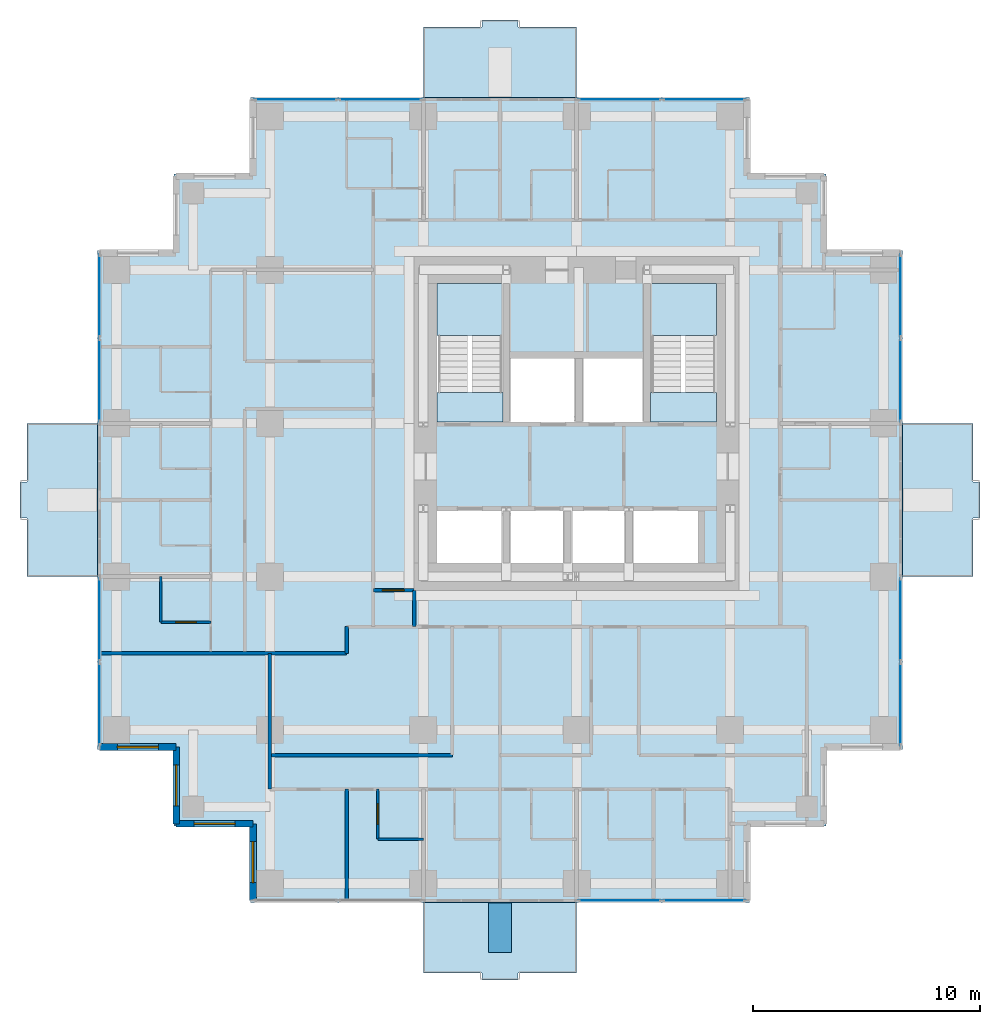
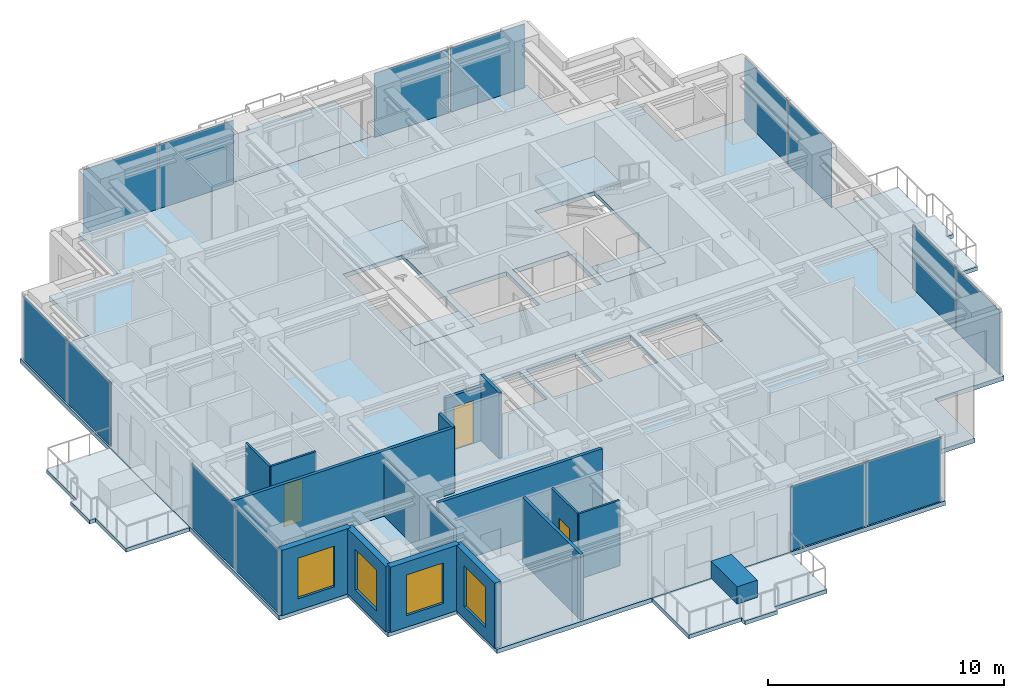
# One storey, part 4 of 10: 16 walls, 14 plates, 9 slabs, 4 windows, 3 doors, 7 openings, 9 elements without a shape of their own.
"""IFC4 building model written with IfcOpenShell, lengths in metres."""

from ifc_helpers import new_model, si_unit, direction, frame, frame_2d, origin, origin_2d, place, context, subcontext, project, spatial, polyline, rectangle, outline, extrude, material, layer, layer_set, type_object, element, fill, aggregate, save


model = new_model("IFC4")

# Units and contexts
model_context = context("Model", 3, precision=1e-05, world=origin(), true_north=direction((0.0, 1.0)))
body_context = subcontext(model_context, "Body", "Model", "MODEL_VIEW")
ifc_project = project(units=[si_unit("LENGTHUNIT", "METRE"), si_unit("AREAUNIT", "SQUARE_METRE"), si_unit("VOLUMEUNIT", "CUBIC_METRE"), si_unit("PLANEANGLEUNIT", "RADIAN"), si_unit("MASSUNIT", "GRAM", prefix="KILO")], contexts=[model_context])

# Site, building, storey
site_placement = place(None, origin())
site = spatial("IfcSite", under=ifc_project, at=site_placement, CompositionType="ELEMENT")
building_placement = place(site_placement, origin())
building = spatial("IfcBuilding", under=site, at=building_placement, Name="Nyansa Garden Tower", CompositionType="ELEMENT")
storey_placement = place(building_placement, frame((0.0, 0.0, 185.39990234375)))
storey = spatial("IfcBuildingStorey", under=building, at=storey_placement, Name="L50", CompositionType="ELEMENT", Elevation=185.39990234375)

# Slabs
ifc_material_1 = material(Name="Concrete C40/50", Category="concrete")
ifc_layer_1 = layer(ifc_material_1, 0.199951171875)
ifc_layer_set_1 = layer_set([ifc_layer_1], Name="Balcony slab BS200")
slab_type_1 = type_object("IfcSlabType", Name="Balcony slab BS200", PredefinedType="FLOOR", material=ifc_layer_set_1)
slab_1_placement = place(storey_placement, frame((0.0, 0.0, -0.239990234375)))
element("IfcSlab", 1, at=slab_1_placement, inside=storey, type_object=slab_type_1, Name="Balcony L50 S", PredefinedType="FLOOR", context=body_context, shape_type="SweptSolid", body=[
    extrude(outline(polyline([(13.5, -0.85009765625), (20.25, -0.85009765625), (20.25, -3.949951171875), (17.675048828125, -3.949951171875), (17.675048828125, -4.25), (16.074951171875, -4.25), (16.074951171875, -3.949951171875), (13.5, -3.949951171875), (13.5, -0.85009765625)])), origin(), (0.0, 0.0, 1.0), 0.2001953125),
])
slab_2_placement = place(storey_placement, frame((0.0, 0.0, -0.239990234375)))
element("IfcSlab", 2, at=slab_2_placement, inside=storey, type_object=slab_type_1, Name="Balcony L50 E", PredefinedType="FLOOR", context=body_context, shape_type="SweptSolid", body=[
    extrude(outline(polyline([(34.60009765625, 13.5), (34.60009765625, 20.25), (37.699951171875, 20.25), (37.699951171875, 17.675048828125), (38.0, 17.675048828125), (38.0, 16.074951171875), (37.699951171875, 16.074951171875), (37.699951171875, 13.5), (34.60009765625, 13.5)])), origin(), (0.0, 0.0, 1.0), 0.2001953125),
])
slab_3_placement = place(storey_placement, frame((0.0, 0.0, -0.239990234375)))
element("IfcSlab", 3, at=slab_3_placement, inside=storey, type_object=slab_type_1, Name="Balcony L50 N", PredefinedType="FLOOR", context=body_context, shape_type="SweptSolid", body=[
    extrude(outline(polyline([(13.5, 34.60009765625), (20.25, 34.60009765625), (20.25, 37.699951171875), (17.675048828125, 37.699951171875), (17.675048828125, 38.0), (16.074951171875, 38.0), (16.074951171875, 37.699951171875), (13.5, 37.699951171875), (13.5, 34.60009765625)])), origin(), (0.0, 0.0, 1.0), 0.2001953125),
])
slab_4_placement = place(storey_placement, frame((0.0, 0.0, -0.239990234375)))
element("IfcSlab", 4, at=slab_4_placement, inside=storey, type_object=slab_type_1, Name="Balcony L50 W", PredefinedType="FLOOR", context=body_context, shape_type="SweptSolid", body=[
    extrude(outline(polyline([(-0.85009765625, 13.5), (-0.85009765625, 20.25), (-3.949951171875, 20.25), (-3.949951171875, 17.675048828125), (-4.25, 17.675048828125), (-4.25, 16.074951171875), (-3.949951171875, 16.074951171875), (-3.949951171875, 13.5), (-0.85009765625, 13.5)])), origin(), (0.0, 0.0, 1.0), 0.2001953125),
])

# Curtain wall, plates
ifc_material_2 = material(Name="Black anodised aluminium, dark tinted double glazing", Category="aluminium")
curtain_wall_type = type_object("IfcCurtainWallType", Name="Inner skin curtain wall ISW-C", PredefinedType="USERDEFINED", material=ifc_material_2)
curtain_wall_1_placement = place(storey_placement, origin())
curtain_wall_1 = element("IfcCurtainWall", 5, at=curtain_wall_1_placement, inside=storey, type_object=curtain_wall_type, Name="Inner skin curtain wall L50 E", ObjectType="UNITISED CURTAIN WALL", PredefinedType="USERDEFINED")
ifc_material_3 = material(Name="Dark tinted laminated double glazing", Category="glass")
ifc_layer_2 = layer(ifc_material_3, 0.0400390625)
ifc_layer_set_2 = layer_set([ifc_layer_2], Name="Dark tinted vision panel VP-C")
plate_type = type_object("IfcPlateType", Name="Dark tinted vision panel VP-C", PredefinedType="CURTAIN_PANEL", material=ifc_layer_set_2)
plate_1_placement = place(storey_placement, frame((34.5, 7.892578125, 0.0), z_axis=(0.0, 0.0, 1.0), x_axis=(0.0, 1.0, 0.0)))
plate_1 = element("IfcPlate", 6, at=plate_1_placement, type_object=plate_type, Name="ISW-C panel 1", PredefinedType="CURTAIN_PANEL", context=body_context, shape_type="SweptSolid", body=[
    extrude(rectangle(XDim=3.64501953125, YDim=0.0400390625, at=origin_2d()), origin(), (0.0, 0.0, 1.0), 3.304931640625),
])
plate_2_placement = place(storey_placement, frame((34.5, 11.607421875, 0.0), z_axis=(0.0, 0.0, 1.0), x_axis=(0.0, 1.0, 0.0)))
plate_2 = element("IfcPlate", 7, at=plate_2_placement, type_object=plate_type, Name="ISW-C panel 2", PredefinedType="CURTAIN_PANEL", context=body_context, shape_type="SweptSolid", body=[
    extrude(rectangle(XDim=3.64501953125, YDim=0.0400390625, at=origin_2d()), origin(), (0.0, 0.0, 1.0), 3.304931640625),
])
aggregate(curtain_wall_1, [plate_1, plate_2])

curtain_wall_2_placement = place(storey_placement, origin())
curtain_wall_2 = element("IfcCurtainWall", 8, at=curtain_wall_2_placement, inside=storey, type_object=curtain_wall_type, Name="Inner skin curtain wall L50 E", ObjectType="UNITISED CURTAIN WALL", PredefinedType="USERDEFINED")
plate_3_placement = place(storey_placement, frame((34.5, 22.142578125, 0.0), z_axis=(0.0, 0.0, 1.0), x_axis=(0.0, 1.0, 0.0)))
plate_3 = element("IfcPlate", 9, at=plate_3_placement, type_object=plate_type, Name="ISW-C panel 1", PredefinedType="CURTAIN_PANEL", context=body_context, shape_type="SweptSolid", body=[
    extrude(rectangle(XDim=3.64501953125, YDim=0.0400390625, at=origin_2d()), origin(), (0.0, 0.0, 1.0), 3.304931640625),
])
plate_4_placement = place(storey_placement, frame((34.5, 25.857421875, 0.0), z_axis=(0.0, 0.0, 1.0), x_axis=(0.0, 1.0, 0.0)))
plate_4 = element("IfcPlate", 10, at=plate_4_placement, type_object=plate_type, Name="ISW-C panel 2", PredefinedType="CURTAIN_PANEL", context=body_context, shape_type="SweptSolid", body=[
    extrude(rectangle(XDim=3.64501953125, YDim=0.0400390625, at=origin_2d()), origin(), (0.0, 0.0, 1.0), 3.304931640625),
])
aggregate(curtain_wall_2, [plate_3, plate_4])

curtain_wall_3_placement = place(storey_placement, origin())
curtain_wall_3 = element("IfcCurtainWall", 11, at=curtain_wall_3_placement, inside=storey, type_object=curtain_wall_type, Name="Inner skin curtain wall L50 N", ObjectType="UNITISED CURTAIN WALL", PredefinedType="USERDEFINED")
plate_5_placement = place(storey_placement, frame((11.607421875, 34.5, 0.0), z_axis=(0.0, 0.0, 1.0), x_axis=(-1.0, 0.0, 0.0)))
plate_5 = element("IfcPlate", 12, at=plate_5_placement, type_object=plate_type, Name="ISW-C panel 1", PredefinedType="CURTAIN_PANEL", context=body_context, shape_type="SweptSolid", body=[
    extrude(rectangle(XDim=3.64501953125, YDim=0.0400390625, at=origin_2d()), origin(), (0.0, 0.0, 1.0), 3.304931640625),
])
plate_6_placement = place(storey_placement, frame((7.892578125, 34.5, 0.0), z_axis=(0.0, 0.0, 1.0), x_axis=(-1.0, 0.0, 0.0)))
plate_6 = element("IfcPlate", 13, at=plate_6_placement, type_object=plate_type, Name="ISW-C panel 2", PredefinedType="CURTAIN_PANEL", context=body_context, shape_type="SweptSolid", body=[
    extrude(rectangle(XDim=3.64501953125, YDim=0.0400390625, at=origin_2d()), origin(), (0.0, 0.0, 1.0), 3.304931640625),
])
aggregate(curtain_wall_3, [plate_5, plate_6])

curtain_wall_4_placement = place(storey_placement, origin())
curtain_wall_4 = element("IfcCurtainWall", 14, at=curtain_wall_4_placement, inside=storey, type_object=curtain_wall_type, Name="Inner skin curtain wall L50 N", ObjectType="UNITISED CURTAIN WALL", PredefinedType="USERDEFINED")
plate_7_placement = place(storey_placement, frame((25.857421875, 34.5, 0.0), z_axis=(0.0, 0.0, 1.0), x_axis=(-1.0, 0.0, 0.0)))
plate_7 = element("IfcPlate", 15, at=plate_7_placement, type_object=plate_type, Name="ISW-C panel 1", PredefinedType="CURTAIN_PANEL", context=body_context, shape_type="SweptSolid", body=[
    extrude(rectangle(XDim=3.64501953125, YDim=0.0400390625, at=origin_2d()), origin(), (0.0, 0.0, 1.0), 3.304931640625),
])
plate_8_placement = place(storey_placement, frame((22.142578125, 34.5, 0.0), z_axis=(0.0, 0.0, 1.0), x_axis=(-1.0, 0.0, 0.0)))
plate_8 = element("IfcPlate", 16, at=plate_8_placement, type_object=plate_type, Name="ISW-C panel 2", PredefinedType="CURTAIN_PANEL", context=body_context, shape_type="SweptSolid", body=[
    extrude(rectangle(XDim=3.64501953125, YDim=0.0400390625, at=origin_2d()), origin(), (0.0, 0.0, 1.0), 3.304931640625),
])
aggregate(curtain_wall_4, [plate_7, plate_8])

curtain_wall_5_placement = place(storey_placement, origin())
curtain_wall_5 = element("IfcCurtainWall", 17, at=curtain_wall_5_placement, inside=storey, type_object=curtain_wall_type, Name="Inner skin curtain wall L50 W", ObjectType="UNITISED CURTAIN WALL", PredefinedType="USERDEFINED")
plate_9_placement = place(storey_placement, frame((-0.75, 11.607421875, 0.0), z_axis=(0.0, 0.0, 1.0), x_axis=(0.0, -1.0, 0.0)))
plate_9 = element("IfcPlate", 18, at=plate_9_placement, type_object=plate_type, Name="ISW-C panel 1", PredefinedType="CURTAIN_PANEL", context=body_context, shape_type="SweptSolid", body=[
    extrude(rectangle(XDim=3.64501953125, YDim=0.0400390625, at=origin_2d()), origin(), (0.0, 0.0, 1.0), 3.304931640625),
])
plate_10_placement = place(storey_placement, frame((-0.75, 7.892578125, 0.0), z_axis=(0.0, 0.0, 1.0), x_axis=(0.0, -1.0, 0.0)))
plate_10 = element("IfcPlate", 19, at=plate_10_placement, type_object=plate_type, Name="ISW-C panel 2", PredefinedType="CURTAIN_PANEL", context=body_context, shape_type="SweptSolid", body=[
    extrude(rectangle(XDim=3.64501953125, YDim=0.0400390625, at=origin_2d()), origin(), (0.0, 0.0, 1.0), 3.304931640625),
])
aggregate(curtain_wall_5, [plate_9, plate_10])

curtain_wall_6_placement = place(storey_placement, origin())
curtain_wall_6 = element("IfcCurtainWall", 20, at=curtain_wall_6_placement, inside=storey, type_object=curtain_wall_type, Name="Inner skin curtain wall L50 W", ObjectType="UNITISED CURTAIN WALL", PredefinedType="USERDEFINED")
plate_11_placement = place(storey_placement, frame((-0.75, 25.857421875, 0.0), z_axis=(0.0, 0.0, 1.0), x_axis=(0.0, -1.0, 0.0)))
plate_11 = element("IfcPlate", 21, at=plate_11_placement, type_object=plate_type, Name="ISW-C panel 1", PredefinedType="CURTAIN_PANEL", context=body_context, shape_type="SweptSolid", body=[
    extrude(rectangle(XDim=3.64501953125, YDim=0.0400390625, at=origin_2d()), origin(), (0.0, 0.0, 1.0), 3.304931640625),
])
plate_12_placement = place(storey_placement, frame((-0.75, 22.142578125, 0.0), z_axis=(0.0, 0.0, 1.0), x_axis=(0.0, -1.0, 0.0)))
plate_12 = element("IfcPlate", 22, at=plate_12_placement, type_object=plate_type, Name="ISW-C panel 2", PredefinedType="CURTAIN_PANEL", context=body_context, shape_type="SweptSolid", body=[
    extrude(rectangle(XDim=3.64501953125, YDim=0.0400390625, at=origin_2d()), origin(), (0.0, 0.0, 1.0), 3.304931640625),
])
aggregate(curtain_wall_6, [plate_11, plate_12])

curtain_wall_7_placement = place(storey_placement, origin())
curtain_wall_7 = element("IfcCurtainWall", 23, at=curtain_wall_7_placement, inside=storey, type_object=curtain_wall_type, Name="Inner skin curtain wall L50 S", ObjectType="UNITISED CURTAIN WALL", PredefinedType="USERDEFINED")
plate_13_placement = place(storey_placement, frame((22.142578125, -0.75, 0.0), z_axis=(0.0, 0.0, 1.0), x_axis=(1.0, 0.0, 0.0)))
plate_13 = element("IfcPlate", 24, at=plate_13_placement, type_object=plate_type, Name="ISW-C panel 1", PredefinedType="CURTAIN_PANEL", context=body_context, shape_type="SweptSolid", body=[
    extrude(rectangle(XDim=3.64501953125, YDim=0.0400390625, at=origin_2d()), origin(), (0.0, 0.0, 1.0), 3.304931640625),
])
plate_14_placement = place(storey_placement, frame((25.857421875, -0.75, 0.0), z_axis=(0.0, 0.0, 1.0), x_axis=(1.0, 0.0, 0.0)))
plate_14 = element("IfcPlate", 25, at=plate_14_placement, type_object=plate_type, Name="ISW-C panel 2", PredefinedType="CURTAIN_PANEL", context=body_context, shape_type="SweptSolid", body=[
    extrude(rectangle(XDim=3.64501953125, YDim=0.0400390625, at=origin_2d()), origin(), (0.0, 0.0, 1.0), 3.304931640625),
])
aggregate(curtain_wall_7, [plate_13, plate_14])

# Slab
ifc_material_4 = material(Name="Concrete C40/50", Category="concrete")
ifc_layer_3 = layer(ifc_material_4, 0.22509765625)
ifc_layer_set_3 = layer_set([ifc_layer_3], Name="Floor slab FS225")
slab_type_2 = type_object("IfcSlabType", Name="Floor slab FS225", PredefinedType="FLOOR", material=ifc_layer_set_3)
slab_5_placement = place(storey_placement, frame((0.0, 0.0, -0.224853515625)))
element("IfcSlab", 26, at=slab_5_placement, inside=storey, type_object=slab_type_2, Name="Floor slab L50", PredefinedType="FLOOR", context=body_context, shape_type="SweptSolid", body=[
    extrude(outline(polyline([(34.60009765625, 5.89990234375), (31.22509765625, 5.89990234375), (31.22509765625, 2.52490234375), (27.85009765625, 2.52490234375), (27.85009765625, -0.85009765625), (5.89990234375, -0.85009765625), (5.89990234375, 2.52490234375), (2.52490234375, 2.52490234375), (2.52490234375, 5.89990234375), (-0.85009765625, 5.89990234375), (-0.85009765625, 27.85009765625), (2.52490234375, 27.85009765625), (2.52490234375, 31.22509765625), (5.89990234375, 31.22509765625), (5.89990234375, 34.60009765625), (27.85009765625, 34.60009765625), (27.85009765625, 31.22509765625), (31.22509765625, 31.22509765625), (31.22509765625, 27.85009765625), (34.60009765625, 27.85009765625), (34.60009765625, 5.89990234375)]), holes=[polyline([(14.10009765625, 14.10009765625), (17.0, 14.10009765625), (17.0, 16.39990234375), (14.10009765625, 16.39990234375), (14.10009765625, 14.10009765625)]), polyline([(17.300048828125, 14.10009765625), (19.699951171875, 14.10009765625), (19.699951171875, 16.39990234375), (17.300048828125, 16.39990234375), (17.300048828125, 14.10009765625)]), polyline([(20.0, 14.10009765625), (22.39990234375, 14.10009765625), (22.39990234375, 16.39990234375), (20.0, 16.39990234375), (20.0, 14.10009765625)]), polyline([(22.699951171875, 14.10009765625), (25.60009765625, 14.10009765625), (25.60009765625, 16.39990234375), (22.699951171875, 16.39990234375), (22.699951171875, 14.10009765625)]), polyline([(17.300048828125, 20.300048828125), (20.199951171875, 20.300048828125), (20.199951171875, 23.10009765625), (17.300048828125, 23.10009765625), (17.300048828125, 20.300048828125)]), polyline([(20.5, 20.300048828125), (23.199951171875, 20.300048828125), (23.199951171875, 23.10009765625), (20.5, 23.10009765625), (20.5, 20.300048828125)]), polyline([(14.10009765625, 20.300048828125), (17.0, 20.300048828125), (17.0, 26.39990234375), (14.10009765625, 26.39990234375), (14.10009765625, 20.300048828125)]), polyline([(23.5, 20.300048828125), (26.39990234375, 20.300048828125), (26.39990234375, 26.39990234375), (23.5, 26.39990234375), (23.5, 20.300048828125)])]), origin(), (0.0, 0.0, 1.0), 0.224853515625),
])

# Stair, slabs
ifc_material_5 = material(Name="Precast concrete C40/50", Category="concrete")
stair_type_1 = type_object("IfcStairType", Name="Stair S1 180x280", PredefinedType="HALF_TURN_STAIR", material=ifc_material_5)
stair_1_placement = place(storey_placement, origin())
stair_1 = element("IfcStair", 27, at=stair_1_placement, inside=storey, type_object=stair_type_1, Name="Stair S1 L50", PredefinedType="HALF_TURN_STAIR")
ifc_material_6 = material(Name="Concrete C40/50", Category="concrete")
ifc_layer_4 = layer(ifc_material_6, 0.199951171875)
ifc_layer_set_4 = layer_set([ifc_layer_4], Name="Stair landing SL200")
slab_type_3 = type_object("IfcSlabType", Name="Stair landing SL200", PredefinedType="LANDING", material=ifc_layer_set_4)
slab_6_placement = place(storey_placement, frame((0.0, 0.0, -0.199951171875)))
slab_6 = element("IfcSlab", 28, at=slab_6_placement, type_object=slab_type_3, Name="S1 landing 1", PredefinedType="LANDING", context=body_context, shape_type="SweptSolid", body=[
    extrude(outline(polyline([(14.10009765625, 20.300048828125), (17.0, 20.300048828125), (17.0, 21.60009765625), (14.10009765625, 21.60009765625), (14.10009765625, 20.300048828125)])), origin(), (0.0, 0.0, 1.0), 0.199951171875),
])
slab_7_placement = place(storey_placement, frame((0.0, 0.0, 1.60009765625)))
slab_7 = element("IfcSlab", 29, at=slab_7_placement, type_object=slab_type_3, Name="S1 landing 2", PredefinedType="LANDING", context=body_context, shape_type="SweptSolid", body=[
    extrude(outline(polyline([(14.10009765625, 24.1201171875), (17.0, 24.1201171875), (17.0, 26.39990234375), (14.10009765625, 26.39990234375), (14.10009765625, 24.1201171875)])), origin(), (0.0, 0.0, 1.0), 0.199951171875),
])
aggregate(stair_1, [slab_6, slab_7])

ifc_material_7 = material(Name="Precast concrete C40/50", Category="concrete")
stair_type_2 = type_object("IfcStairType", Name="Stair S2 180x280", PredefinedType="HALF_TURN_STAIR", material=ifc_material_7)
stair_2_placement = place(storey_placement, origin())
stair_2 = element("IfcStair", 30, at=stair_2_placement, inside=storey, type_object=stair_type_2, Name="Stair S2 L50", PredefinedType="HALF_TURN_STAIR")
slab_8_placement = place(storey_placement, frame((0.0, 0.0, -0.199951171875)))
slab_8 = element("IfcSlab", 31, at=slab_8_placement, type_object=slab_type_3, Name="S2 landing 1", PredefinedType="LANDING", context=body_context, shape_type="SweptSolid", body=[
    extrude(outline(polyline([(23.5, 20.300048828125), (26.39990234375, 20.300048828125), (26.39990234375, 21.60009765625), (23.5, 21.60009765625), (23.5, 20.300048828125)])), origin(), (0.0, 0.0, 1.0), 0.199951171875),
])
slab_9_placement = place(storey_placement, frame((0.0, 0.0, 1.60009765625)))
slab_9 = element("IfcSlab", 32, at=slab_9_placement, type_object=slab_type_3, Name="S2 landing 2", PredefinedType="LANDING", context=body_context, shape_type="SweptSolid", body=[
    extrude(outline(polyline([(23.5, 24.1201171875), (26.39990234375, 24.1201171875), (26.39990234375, 26.39990234375), (23.5, 26.39990234375), (23.5, 24.1201171875)])), origin(), (0.0, 0.0, 1.0), 0.199951171875),
])
aggregate(stair_2, [slab_8, slab_9])

# Walls
ifc_material_8 = material(Name="Blockwork, plastered both sides", Category="masonry")
ifc_layer_5 = layer(ifc_material_8, 0.14990234375)
ifc_layer_set_5 = layer_set([ifc_layer_5], Name="Partition PW150")
wall_type_1 = type_object("IfcWallType", Name="Partition PW150", PredefinedType="PARTITIONING", material=ifc_layer_set_5)
wall_1_placement = place(storey_placement, frame((-0.73388671875, 10.125, 0.0), z_axis=(0.0, 0.0, 1.0), x_axis=(1.0, 0.0, 0.0)))
element("IfcWall", 33, at=wall_1_placement, inside=storey, type_object=wall_type_1, Name="Partition", PredefinedType="PARTITIONING", context=body_context, shape_type="SweptSolid", body=[
    extrude(rectangle(XDim=10.85888671875, YDim=0.14990234375, at=frame_2d((5.429443359375, 0.0))), origin(), (0.0, 0.0, 1.0), 3.375),
])
wall_2_placement = place(storey_placement, frame((6.75, 4.14990234375, 0.0), z_axis=(0.0, 0.0, 1.0), x_axis=(0.0, 1.0, 0.0)))
element("IfcWall", 34, at=wall_2_placement, inside=storey, type_object=wall_type_1, Name="Partition", PredefinedType="PARTITIONING", context=body_context, shape_type="SweptSolid", body=[
    extrude(rectangle(XDim=5.97509765625, YDim=0.14990234375, at=frame_2d((2.987548828125, 0.0))), origin(), (0.0, 0.0, 1.0), 2.877197265625),
])
wall_3_placement = place(storey_placement, frame((6.75, 5.64990234375, 0.0), z_axis=(0.0, 0.0, 1.0), x_axis=(1.0, 0.0, 0.0)))
element("IfcWall", 35, at=wall_3_placement, inside=storey, type_object=wall_type_1, Name="Partition", PredefinedType="PARTITIONING", context=body_context, shape_type="SweptSolid", body=[
    extrude(rectangle(XDim=8.02490234375, YDim=0.14990234375, at=frame_2d((4.012451171875, 0.0))), origin(), (0.0, 0.0, 1.0), 3.375),
])
wall_4_placement = place(storey_placement, frame((10.125, -0.73388671875, 0.0), z_axis=(0.0, 0.0, 1.0), x_axis=(0.0, 1.0, 0.0)))
element("IfcWall", 36, at=wall_4_placement, inside=storey, type_object=wall_type_1, Name="Partition", PredefinedType="PARTITIONING", context=body_context, shape_type="SweptSolid", body=[
    extrude(rectangle(XDim=4.8837890625, YDim=0.14990234375, at=frame_2d((2.44189453125, 0.0))), origin(), (0.0, 0.0, 1.0), 3.375),
])
wall_5_placement = place(storey_placement, frame((10.125, 10.125, 0.0), z_axis=(0.0, 0.0, 1.0), x_axis=(0.0, 1.0, 0.0)))
element("IfcWall", 37, at=wall_5_placement, inside=storey, type_object=wall_type_1, Name="Partition", PredefinedType="PARTITIONING", context=body_context, shape_type="SweptSolid", body=[
    extrude(rectangle(XDim=1.175048828125, YDim=0.14990234375, at=frame_2d((0.58740234375, 0.0))), origin(), (0.0, 0.0, 1.0), 3.375),
])

# Wall, opening, door
wall_6_placement = place(storey_placement, frame((11.300048828125, 12.89990234375, 0.0), z_axis=(0.0, 0.0, 1.0), x_axis=(1.0, 0.0, 0.0)))
wall_6 = element("IfcWall", 38, at=wall_6_placement, inside=storey, type_object=wall_type_1, Name="Partition", PredefinedType="PARTITIONING", context=body_context, shape_type="SweptSolid", body=[
    extrude(rectangle(XDim=1.800048828125, YDim=0.14990234375, at=frame_2d((0.89990234375, 0.0))), origin(), (0.0, 0.0, 1.0), 2.80615234375),
])
opening_1_placement = place(wall_6_placement, frame((0.39990234375, 0.0, 0.0)))
opening_1 = element("IfcOpeningElement", 39, at=opening_1_placement, cuts=wall_6, Name="Opening D01", PredefinedType="OPENING", context=body_context, shape_type="SweptSolid", body=[
    extrude(rectangle(XDim=0.949951171875, YDim=2.199951171875, at=frame_2d((0.47509765625, 1.10009765625))), frame((0.0, 0.0849609375, 0.0), z_axis=(0.0, -1.0, 0.0), x_axis=(1.0, 0.0, 0.0)), (0.0, 0.0, 1.0), 0.169921875),
])
ifc_material_9 = material(Name="Timber flush door, 30 minute fire resisting", Category="wood")
door_type_1 = type_object("IfcDoorType", Name="Bedroom door D01 950x2200", OperationType="SINGLE_SWING_LEFT", PredefinedType="DOOR", material=ifc_material_9)
door_1_placement = place(opening_1_placement, origin())
door_1 = element("IfcDoor", 40, at=door_1_placement, inside=storey, type_object=door_type_1, Name="Door L50-016", OperationType="SINGLE_SWING_LEFT", OverallHeight=2.199951171875, OverallWidth=0.949951171875, PredefinedType="DOOR", context=body_context, shape_type="SweptSolid", body=[
    extrude(rectangle(XDim=0.949951171875, YDim=2.199951171875, at=frame_2d((0.47509765625, 1.10009765625))), frame((0.0, 0.02490234375, 0.0), z_axis=(0.0, -1.0, 0.0), x_axis=(1.0, 0.0, 0.0)), (0.0, 0.0, 1.0), 0.050048828125),
])
fill(opening_1, door_1)

# Wall
wall_7_placement = place(storey_placement, frame((13.10009765625, 11.300048828125, 0.0), z_axis=(0.0, 0.0, 1.0), x_axis=(0.0, 1.0, 0.0)))
element("IfcWall", 41, at=wall_7_placement, inside=storey, type_object=wall_type_1, Name="Partition", PredefinedType="PARTITIONING", context=body_context, shape_type="SweptSolid", body=[
    extrude(rectangle(XDim=1.599853515625, YDim=0.14990234375, at=frame_2d((0.7998046875, 0.0))), origin(), (0.0, 0.0, 1.0), 3.375),
])

# Wall, opening, window
ifc_material_10 = material(Name="Turquoise glazed tile on concrete blockwork", Category="masonry")
ifc_layer_6 = layer(ifc_material_10, 0.300048828125)
ifc_layer_set_6 = layer_set([ifc_layer_6], Name="Tiled corner wall TW300")
wall_type_2 = type_object("IfcWallType", Name="Tiled corner wall TW300", PredefinedType="SOLIDWALL", material=ifc_layer_set_6)
wall_8_placement = place(storey_placement, frame((-0.75, 6.0, 0.0), z_axis=(0.0, 0.0, 1.0), x_axis=(1.0, 0.0, 0.0)))
wall_8 = element("IfcWall", 42, at=wall_8_placement, inside=storey, type_object=wall_type_2, Name="Tiled corner wall L50", PredefinedType="SOLIDWALL", context=body_context, shape_type="SweptSolid", body=[
    extrude(rectangle(XDim=3.375, YDim=0.300048828125, at=frame_2d((1.6875, 0.0))), origin(), (0.0, 0.0, 1.0), 3.375),
])
opening_2_placement = place(wall_8_placement, frame((0.78759765625, 0.0, 0.60009765625)))
opening_2 = element("IfcOpeningElement", 43, at=opening_2_placement, cuts=wall_8, Name="Opening W2", PredefinedType="OPENING", context=body_context, shape_type="SweptSolid", body=[
    extrude(rectangle(XDim=1.800048828125, YDim=2.10009765625, at=frame_2d((0.89990234375, 1.050048828125))), frame((0.0, 0.159912109375, 0.0), z_axis=(0.0, -1.0, 0.0), x_axis=(1.0, 0.0, 0.0)), (0.0, 0.0, 1.0), 0.320068359375),
])
ifc_material_11 = material(Name="Black aluminium frame, dark tinted double glazing", Category="aluminium")
window_type = type_object("IfcWindowType", Name="Window W2 1800x2100", PartitioningType="SINGLE_PANEL", PredefinedType="WINDOW", material=ifc_material_11)
window_1_placement = place(opening_2_placement, origin())
window_1 = element("IfcWindow", 44, at=window_1_placement, inside=storey, type_object=window_type, Name="Corner window L50", OverallHeight=2.10009765625, OverallWidth=1.800048828125, PartitioningType="SINGLE_PANEL", PredefinedType="WINDOW", context=body_context, shape_type="SweptSolid", body=[
    extrude(rectangle(XDim=1.800048828125, YDim=2.10009765625, at=frame_2d((0.89990234375, 1.050048828125))), frame((0.0, 0.030029296875, 0.0), z_axis=(0.0, -1.0, 0.0), x_axis=(1.0, 0.0, 0.0)), (0.0, 0.0, 1.0), 0.06005859375),
])
fill(opening_2, window_1)

wall_9_placement = place(storey_placement, frame((2.625, 6.0, 0.0), z_axis=(0.0, 0.0, 1.0), x_axis=(0.0, -1.0, 0.0)))
wall_9 = element("IfcWall", 45, at=wall_9_placement, inside=storey, type_object=wall_type_2, Name="Tiled corner wall L50", PredefinedType="SOLIDWALL", context=body_context, shape_type="SweptSolid", body=[
    extrude(rectangle(XDim=3.375, YDim=0.300048828125, at=frame_2d((1.6875, 0.0))), origin(), (0.0, 0.0, 1.0), 3.375),
])
opening_3_placement = place(wall_9_placement, frame((0.78759765625, 0.0, 0.60009765625)))
opening_3 = element("IfcOpeningElement", 46, at=opening_3_placement, cuts=wall_9, Name="Opening W2", PredefinedType="OPENING", context=body_context, shape_type="SweptSolid", body=[
    extrude(rectangle(XDim=1.800048828125, YDim=2.10009765625, at=frame_2d((0.89990234375, 1.050048828125))), frame((0.0, 0.159912109375, 0.0), z_axis=(0.0, -1.0, 0.0), x_axis=(1.0, 0.0, 0.0)), (0.0, 0.0, 1.0), 0.320068359375),
])
window_2_placement = place(opening_3_placement, origin())
window_2 = element("IfcWindow", 47, at=window_2_placement, inside=storey, type_object=window_type, Name="Corner window L50", OverallHeight=2.10009765625, OverallWidth=1.800048828125, PartitioningType="SINGLE_PANEL", PredefinedType="WINDOW", context=body_context, shape_type="SweptSolid", body=[
    extrude(rectangle(XDim=1.800048828125, YDim=2.10009765625, at=frame_2d((0.89990234375, 1.050048828125))), frame((0.0, 0.030029296875, 0.0), z_axis=(0.0, -1.0, 0.0), x_axis=(1.0, 0.0, 0.0)), (0.0, 0.0, 1.0), 0.06005859375),
])
fill(opening_3, window_2)

wall_10_placement = place(storey_placement, frame((2.625, 2.625, 0.0), z_axis=(0.0, 0.0, 1.0), x_axis=(1.0, 0.0, 0.0)))
wall_10 = element("IfcWall", 48, at=wall_10_placement, inside=storey, type_object=wall_type_2, Name="Tiled corner wall L50", PredefinedType="SOLIDWALL", context=body_context, shape_type="SweptSolid", body=[
    extrude(rectangle(XDim=3.375, YDim=0.300048828125, at=frame_2d((1.6875, 0.0))), origin(), (0.0, 0.0, 1.0), 3.375),
])
opening_4_placement = place(wall_10_placement, frame((0.78759765625, 0.0, 0.60009765625)))
opening_4 = element("IfcOpeningElement", 49, at=opening_4_placement, cuts=wall_10, Name="Opening W2", PredefinedType="OPENING", context=body_context, shape_type="SweptSolid", body=[
    extrude(rectangle(XDim=1.800048828125, YDim=2.10009765625, at=frame_2d((0.89990234375, 1.050048828125))), frame((0.0, 0.159912109375, 0.0), z_axis=(0.0, -1.0, 0.0), x_axis=(1.0, 0.0, 0.0)), (0.0, 0.0, 1.0), 0.320068359375),
])
window_3_placement = place(opening_4_placement, origin())
window_3 = element("IfcWindow", 50, at=window_3_placement, inside=storey, type_object=window_type, Name="Corner window L50", OverallHeight=2.10009765625, OverallWidth=1.800048828125, PartitioningType="SINGLE_PANEL", PredefinedType="WINDOW", context=body_context, shape_type="SweptSolid", body=[
    extrude(rectangle(XDim=1.800048828125, YDim=2.10009765625, at=frame_2d((0.89990234375, 1.050048828125))), frame((0.0, 0.030029296875, 0.0), z_axis=(0.0, -1.0, 0.0), x_axis=(1.0, 0.0, 0.0)), (0.0, 0.0, 1.0), 0.06005859375),
])
fill(opening_4, window_3)

wall_11_placement = place(storey_placement, frame((6.0, 2.625, 0.0), z_axis=(0.0, 0.0, 1.0), x_axis=(0.0, -1.0, 0.0)))
wall_11 = element("IfcWall", 51, at=wall_11_placement, inside=storey, type_object=wall_type_2, Name="Tiled corner wall L50", PredefinedType="SOLIDWALL", context=body_context, shape_type="SweptSolid", body=[
    extrude(rectangle(XDim=3.375, YDim=0.300048828125, at=frame_2d((1.6875, 0.0))), origin(), (0.0, 0.0, 1.0), 3.375),
])
opening_5_placement = place(wall_11_placement, frame((0.78759765625, 0.0, 0.60009765625)))
opening_5 = element("IfcOpeningElement", 52, at=opening_5_placement, cuts=wall_11, Name="Opening W2", PredefinedType="OPENING", context=body_context, shape_type="SweptSolid", body=[
    extrude(rectangle(XDim=1.800048828125, YDim=2.10009765625, at=frame_2d((0.89990234375, 1.050048828125))), frame((0.0, 0.159912109375, 0.0), z_axis=(0.0, -1.0, 0.0), x_axis=(1.0, 0.0, 0.0)), (0.0, 0.0, 1.0), 0.320068359375),
])
window_4_placement = place(opening_5_placement, origin())
window_4 = element("IfcWindow", 53, at=window_4_placement, inside=storey, type_object=window_type, Name="Corner window L50", OverallHeight=2.10009765625, OverallWidth=1.800048828125, PartitioningType="SINGLE_PANEL", PredefinedType="WINDOW", context=body_context, shape_type="SweptSolid", body=[
    extrude(rectangle(XDim=1.800048828125, YDim=2.10009765625, at=frame_2d((0.89990234375, 1.050048828125))), frame((0.0, 0.030029296875, 0.0), z_axis=(0.0, -1.0, 0.0), x_axis=(1.0, 0.0, 0.0)), (0.0, 0.0, 1.0), 0.06005859375),
])
fill(opening_5, window_4)

# Walls
ifc_material_12 = material(Name="Concrete C40/50 planter, waterproofed", Category="concrete")
ifc_layer_7 = layer(ifc_material_12, 1.0)
ifc_layer_set_7 = layer_set([ifc_layer_7], Name="Tree planter TP1")
wall_type_3 = type_object("IfcWallType", Name="Tree planter TP1", PredefinedType="USERDEFINED", material=ifc_layer_set_7)
wall_12_placement = place(storey_placement, frame((16.875, -0.85009765625, 0.0), z_axis=(0.0, 0.0, 1.0), x_axis=(0.0, -1.0, 0.0)))
element("IfcWall", 54, at=wall_12_placement, inside=storey, type_object=wall_type_3, Name="Tree planter L50", ObjectType="TREE PLANTER", PredefinedType="USERDEFINED", context=body_context, shape_type="SweptSolid", body=[
    extrude(rectangle(XDim=2.199951171875, YDim=1.0, at=frame_2d((1.10009765625, 0.0))), origin(), (0.0, 0.0, 1.0), 0.900146484375),
])
ifc_material_13 = material(Name="Moisture resistant board on steel studs, tiled", Category="steel")
ifc_layer_8 = layer(ifc_material_13, 0.10009765625)
ifc_layer_set_8 = layer_set([ifc_layer_8], Name="Wet wall PW100")
wall_type_4 = type_object("IfcWallType", Name="Wet wall PW100", PredefinedType="PARTITIONING", material=ifc_layer_set_8)
wall_13_placement = place(storey_placement, frame((1.949951171875, 11.5, 0.0), z_axis=(0.0, 0.0, 1.0), x_axis=(0.0, 1.0, 0.0)))
element("IfcWall", 55, at=wall_13_placement, inside=storey, type_object=wall_type_4, Name="Wet wall", PredefinedType="PARTITIONING", context=body_context, shape_type="SweptSolid", body=[
    extrude(rectangle(XDim=2.0, YDim=0.10009765625, at=frame_2d((1.0, 0.0))), origin(), (0.0, 0.0, 1.0), 3.375),
])

# Wall, opening, door
wall_14_placement = place(storey_placement, frame((1.949951171875, 11.5, 0.0), z_axis=(0.0, 0.0, 1.0), x_axis=(1.0, 0.0, 0.0)))
wall_14 = element("IfcWall", 56, at=wall_14_placement, inside=storey, type_object=wall_type_4, Name="Wet wall", PredefinedType="PARTITIONING", context=body_context, shape_type="SweptSolid", body=[
    extrude(rectangle(XDim=2.199951171875, YDim=0.10009765625, at=frame_2d((1.10009765625, 0.0))), origin(), (0.0, 0.0, 1.0), 3.375),
])
opening_6_placement = place(wall_14_placement, frame((0.64990234375, 0.0, 0.0)))
opening_6 = element("IfcOpeningElement", 57, at=opening_6_placement, cuts=wall_14, Name="Opening D02", PredefinedType="OPENING", context=body_context, shape_type="SweptSolid", body=[
    extrude(rectangle(XDim=0.89990234375, YDim=2.199951171875, at=frame_2d((0.449951171875, 1.10009765625))), frame((0.0, 0.06005859375, 0.0), z_axis=(0.0, -1.0, 0.0), x_axis=(1.0, 0.0, 0.0)), (0.0, 0.0, 1.0), 0.1201171875),
])
ifc_material_14 = material(Name="Timber flush door", Category="wood")
door_type_2 = type_object("IfcDoorType", Name="En-suite door D02 900x2200", OperationType="SINGLE_SWING_RIGHT", PredefinedType="DOOR", material=ifc_material_14)
door_2_placement = place(opening_6_placement, origin())
door_2 = element("IfcDoor", 58, at=door_2_placement, inside=storey, type_object=door_type_2, Name="Door L50-051", OperationType="SINGLE_SWING_RIGHT", OverallHeight=2.199951171875, OverallWidth=0.89990234375, PredefinedType="DOOR", context=body_context, shape_type="SweptSolid", body=[
    extrude(rectangle(XDim=0.89990234375, YDim=2.199951171875, at=frame_2d((0.449951171875, 1.10009765625))), frame((0.0, 0.02490234375, 0.0), z_axis=(0.0, -1.0, 0.0), x_axis=(1.0, 0.0, 0.0)), (0.0, 0.0, 1.0), 0.050048828125),
])
fill(opening_6, door_2)

wall_15_placement = place(storey_placement, frame((11.5, 1.949951171875, 0.0), z_axis=(0.0, 0.0, 1.0), x_axis=(0.0, 1.0, 0.0)))
wall_15 = element("IfcWall", 59, at=wall_15_placement, inside=storey, type_object=wall_type_4, Name="Wet wall", PredefinedType="PARTITIONING", context=body_context, shape_type="SweptSolid", body=[
    extrude(rectangle(XDim=2.199951171875, YDim=0.10009765625, at=frame_2d((1.10009765625, 0.0))), origin(), (0.0, 0.0, 1.0), 3.375),
])
opening_7_placement = place(wall_15_placement, frame((0.64990234375, 0.0, 0.0)))
opening_7 = element("IfcOpeningElement", 60, at=opening_7_placement, cuts=wall_15, Name="Opening D02", PredefinedType="OPENING", context=body_context, shape_type="SweptSolid", body=[
    extrude(rectangle(XDim=0.89990234375, YDim=2.199951171875, at=frame_2d((0.449951171875, 1.10009765625))), frame((0.0, 0.06005859375, 0.0), z_axis=(0.0, -1.0, 0.0), x_axis=(1.0, 0.0, 0.0)), (0.0, 0.0, 1.0), 0.1201171875),
])
door_3_placement = place(opening_7_placement, origin())
door_3 = element("IfcDoor", 61, at=door_3_placement, inside=storey, type_object=door_type_2, Name="Door L50-019", OperationType="SINGLE_SWING_RIGHT", OverallHeight=2.199951171875, OverallWidth=0.89990234375, PredefinedType="DOOR", context=body_context, shape_type="SweptSolid", body=[
    extrude(rectangle(XDim=0.89990234375, YDim=2.199951171875, at=frame_2d((0.449951171875, 1.10009765625))), frame((0.0, 0.02490234375, 0.0), z_axis=(0.0, -1.0, 0.0), x_axis=(1.0, 0.0, 0.0)), (0.0, 0.0, 1.0), 0.050048828125),
])
fill(opening_7, door_3)

# Wall
wall_16_placement = place(storey_placement, frame((11.5, 1.949951171875, 0.0), z_axis=(0.0, 0.0, 1.0), x_axis=(1.0, 0.0, 0.0)))
element("IfcWall", 62, at=wall_16_placement, inside=storey, type_object=wall_type_4, Name="Wet wall", PredefinedType="PARTITIONING", context=body_context, shape_type="SweptSolid", body=[
    extrude(rectangle(XDim=2.0, YDim=0.10009765625, at=frame_2d((1.0, 0.0))), origin(), (0.0, 0.0, 1.0), 3.375),
])

save(model, "model.ifc")
